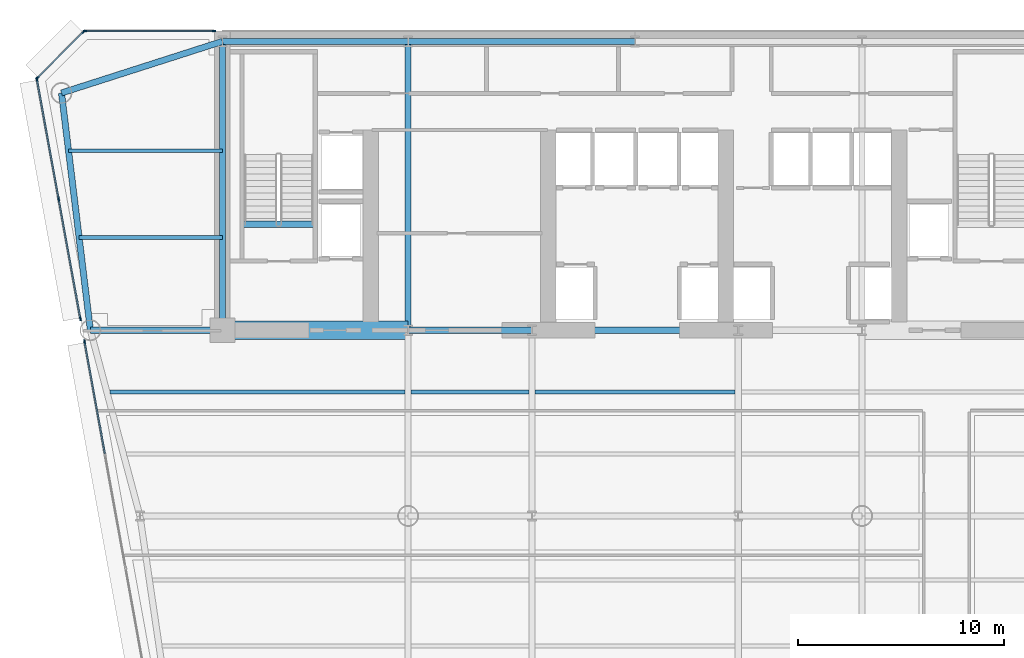
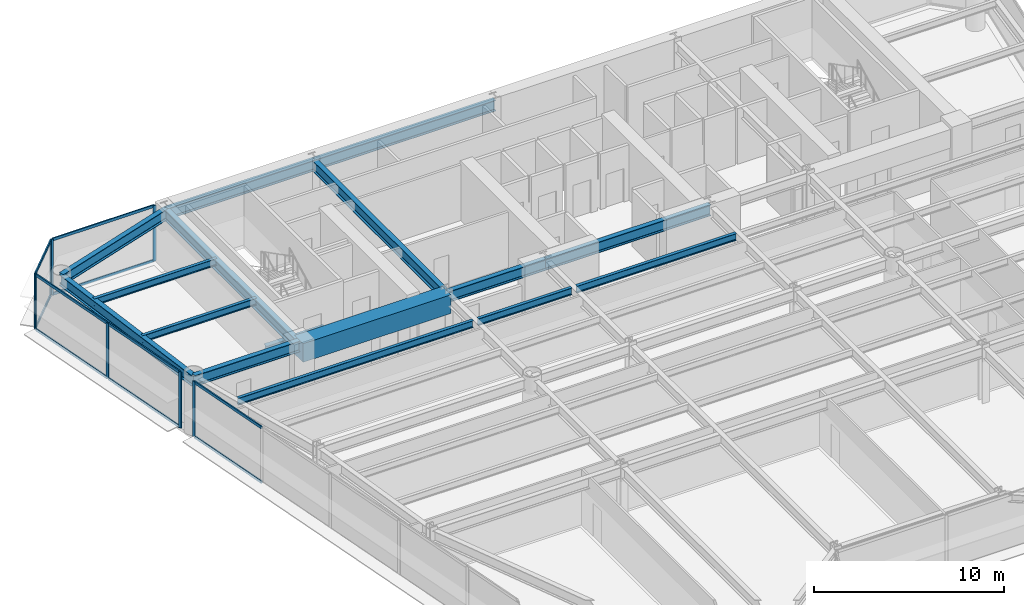
# One storey, part 5 of 14: 18 members, 16 beams, 4 elements without a shape of their own.
"""IFC4 building model written with IfcOpenShell, lengths in metres."""

from ifc_helpers import new_model, si_unit, direction, frame, origin, origin_2d, place, context, subcontext, project, spatial, rectangle, i_section, extrude, source, transform, mapped, material, layer, layer_set, material_profile, profile_set, type_object, element, aggregate, save


model = new_model("IFC4")

# Units and contexts
model_context = context("Model", 3, precision=1e-05, world=origin(), true_north=direction((0.0, 1.0)))
body_context = subcontext(model_context, "Body", "Model", "MODEL_VIEW")
ifc_project = project(units=[si_unit("LENGTHUNIT", "METRE"), si_unit("AREAUNIT", "SQUARE_METRE"), si_unit("VOLUMEUNIT", "CUBIC_METRE"), si_unit("PLANEANGLEUNIT", "RADIAN"), si_unit("MASSUNIT", "GRAM", prefix="KILO")], contexts=[model_context])

# Site, building, storey
site_placement = place(None, origin())
site = spatial("IfcSite", under=ifc_project, at=site_placement, CompositionType="ELEMENT")
building_placement = place(site_placement, origin())
building = spatial("IfcBuilding", under=site, at=building_placement, Name="Vaeldorn Concourse Tower", CompositionType="ELEMENT")
storey_placement = place(building_placement, frame((0.0, 0.0, 133.800048828125)))
storey = spatial("IfcBuildingStorey", under=building, at=storey_placement, Name="L34", CompositionType="ELEMENT", Elevation=133.800048828125)

# Beams
ifc_material_1 = material(Name="Concrete C60/75", Category="concrete")
ifc_material_profile_1 = material_profile(ifc_material_1, rectangle(XDim=0.89990234375, YDim=1.199951171875, at=origin_2d()), Name="RC 900x1200")
ifc_profile_set_1 = profile_set([ifc_material_profile_1], Name="Concrete C60/75")
beam_type_1 = type_object("IfcBeamType", Name="BM-CB-RC900", PredefinedType="BEAM", material=ifc_profile_set_1)
shared_shape_1 = source(origin(), body_context, "Body", "SweptSolid", [
    extrude(rectangle(XDim=0.89990234375, YDim=1.199951171875, at=origin_2d()), origin(), (0.0, 0.0, 1.0), 9.0),
])
beam_1_placement = place(storey_placement, frame((14.0, 36.5, 2.97998046875), z_axis=(1.0, 0.0, 0.0), x_axis=(0.0, 1.0, 0.0)))
element("IfcBeam", 1, at=beam_1_placement, inside=storey, type_object=beam_type_1, Name="Core Coupling Beam L34-1", PredefinedType="BEAM", context=body_context, shape_type="MappedRepresentation", body=[
    mapped(shared_shape_1, transform((0.0, 0.0, 0.0), scale=1.0)),
])
ifc_material_2 = material(Name="Steel S355", Category="steel")
ifc_material_profile_2 = material_profile(ifc_material_2, i_section(OverallWidth=0.300048828125, OverallDepth=0.340087890625, WebThickness=0.011962890625, FlangeThickness=0.021484375, FilletRadius=0.027099609375, at=origin_2d()), Name="HEB 340")
ifc_profile_set_2 = profile_set([ifc_material_profile_2], Name="Steel S355")
beam_type_2 = type_object("IfcBeamType", Name="BM-ST-TRIM", PredefinedType="BEAM", material=ifc_profile_set_2)
shared_shape_2 = source(origin(), body_context, "Body", "SweptSolid", [
    extrude(i_section(OverallWidth=0.300048828125, OverallDepth=0.340087890625, WebThickness=0.011962890625, FlangeThickness=0.021484375, FilletRadius=0.027099609375, at=origin_2d()), origin(), (0.0, 0.0, 1.0), 3.590087890625),
])
beam_2_placement = place(storey_placement, frame((14.929931640625, 41.639892578125, -0.39013671875), z_axis=(1.0, 0.0, 0.0), x_axis=(0.0, 1.0, 0.0)))
element("IfcBeam", 2, at=beam_2_placement, inside=storey, type_object=beam_type_2, Name="Stair Landing Trimmer Beam ST-1 L34", PredefinedType="BEAM", context=body_context, shape_type="MappedRepresentation", body=[
    mapped(shared_shape_2, transform((0.0, 0.0, 0.0), scale=1.0)),
])
ifc_material_profile_3 = material_profile(ifc_material_2, i_section(OverallWidth=0.300048828125, OverallDepth=0.699951171875, WebThickness=0.01708984375, FlangeThickness=0.031982421875, FilletRadius=0.027099609375, at=origin_2d()), Name="HEB 700")
ifc_profile_set_3 = profile_set([ifc_material_profile_3], Name="Steel S355")
beam_type_3 = type_object("IfcBeamType", Name="BM-PG-HEB700", PredefinedType="BEAM", material=ifc_profile_set_3)
shared_shape_3 = source(origin(), body_context, "Body", "SweptSolid", [
    extrude(i_section(OverallWidth=0.300048828125, OverallDepth=0.699951171875, WebThickness=0.01708984375, FlangeThickness=0.031982421875, FilletRadius=0.027099609375, at=origin_2d()), origin(), (0.0, 0.0, 1.0), 6.0),
])
beam_3_placement = place(storey_placement, frame((23.0, 36.5, 3.22998046875), z_axis=(1.0, 0.0, 0.0), x_axis=(0.0, 1.0, 0.0)))
element("IfcBeam", 3, at=beam_3_placement, inside=storey, type_object=beam_type_3, Name="Beam BM-L34-C-FC2-C-FC3", PredefinedType="BEAM", context=body_context, shape_type="MappedRepresentation", body=[
    mapped(shared_shape_3, transform((0.0, 0.0, 0.0), scale=1.0)),
])
shared_shape_4 = source(origin(), body_context, "Body", "SweptSolid", [
    extrude(i_section(OverallWidth=0.300048828125, OverallDepth=0.699951171875, WebThickness=0.01708984375, FlangeThickness=0.031982421875, FilletRadius=0.027099609375, at=origin_2d()), origin(), (0.0, 0.0, 1.0), 10.0),
])
beam_4_placement = place(storey_placement, frame((29.0, 36.5, 3.22998046875), z_axis=(1.0, 0.0, 0.0), x_axis=(0.0, 1.0, 0.0)))
element("IfcBeam", 4, at=beam_4_placement, inside=storey, type_object=beam_type_3, Name="Beam BM-L34-C-FC3-C-FC4", PredefinedType="BEAM", context=body_context, shape_type="MappedRepresentation", body=[
    mapped(shared_shape_4, transform((0.0, 0.0, 0.0), scale=1.0)),
])
shared_shape_5 = source(origin(), body_context, "Body", "SweptSolid", [
    extrude(i_section(OverallWidth=0.300048828125, OverallDepth=0.699951171875, WebThickness=0.01708984375, FlangeThickness=0.031982421875, FilletRadius=0.027099609375, at=origin_2d()), origin(), (0.0, 0.0, 1.0), 9.0),
])
beam_5_placement = place(storey_placement, frame((14.0, 50.5, 3.22998046875), z_axis=(1.0, 0.0, 0.0), x_axis=(0.0, 1.0, 0.0)))
element("IfcBeam", 5, at=beam_5_placement, inside=storey, type_object=beam_type_3, Name="Beam BM-L34-C-HC1-C-HC2", PredefinedType="BEAM", context=body_context, shape_type="MappedRepresentation", body=[
    mapped(shared_shape_5, transform((0.0, 0.0, 0.0), scale=1.0)),
])
shared_shape_6 = source(origin(), body_context, "Body", "SweptSolid", [
    extrude(i_section(OverallWidth=0.300048828125, OverallDepth=0.699951171875, WebThickness=0.01708984375, FlangeThickness=0.031982421875, FilletRadius=0.027099609375, at=origin_2d()), origin(), (0.0, 0.0, 1.0), 11.0),
])
beam_6_placement = place(storey_placement, frame((23.0, 50.5, 3.22998046875), z_axis=(1.0, 0.0, 0.0), x_axis=(0.0, 1.0, 0.0)))
element("IfcBeam", 6, at=beam_6_placement, inside=storey, type_object=beam_type_3, Name="Beam BM-L34-C-HC2-C-HC3", PredefinedType="BEAM", context=body_context, shape_type="MappedRepresentation", body=[
    mapped(shared_shape_6, transform((0.0, 0.0, 0.0), scale=1.0)),
])
shared_shape_7 = source(origin(), body_context, "Body", "SweptSolid", [
    extrude(i_section(OverallWidth=0.300048828125, OverallDepth=0.699951171875, WebThickness=0.01708984375, FlangeThickness=0.031982421875, FilletRadius=0.027099609375, at=origin_2d()), origin(), (0.0, 0.0, 1.0), 14.0),
])
for number, where, z_axis, x_axis, name in (
    (7, (14.0, 36.5, 3.22998046875), (0.0, 1.0, 0.0), (-1.0, 0.0, 0.0), "Beam BM-L34-C-FC1-C-HC1"),
    (8, (23.0, 36.5, 3.22998046875), (0.0, 1.0, 0.0), (-1.0, 0.0, 0.0), "Beam BM-L34-C-FC2-C-HC2"),
):
    element("IfcBeam", number, at=place(storey_placement, frame(where, z_axis=z_axis, x_axis=x_axis)), inside=storey, type_object=beam_type_3, Name=name, PredefinedType="BEAM", context=body_context, shape_type="MappedRepresentation", body=[
        mapped(shared_shape_7, transform((0.0, 0.0, 0.0), scale=1.0)),
    ])
shared_shape_8 = source(origin(), body_context, "Body", "SweptSolid", [
    extrude(i_section(OverallWidth=0.300048828125, OverallDepth=0.699951171875, WebThickness=0.01708984375, FlangeThickness=0.031982421875, FilletRadius=0.027099609375, at=origin_2d()), origin(), (0.0, 0.0, 1.0), 8.19091796875),
])
beam_7_placement = place(storey_placement, frame((6.199951171875, 48.0, 3.22998046875), z_axis=(0.952282843383, 0.305216949396, 0.0), x_axis=(-0.305216949396, 0.952282843383, 0.0)))
element("IfcBeam", 9, at=beam_7_placement, inside=storey, type_object=beam_type_3, Name="Beam BM-L34-C-NW1-C-HC1", PredefinedType="BEAM", context=body_context, shape_type="MappedRepresentation", body=[
    mapped(shared_shape_8, transform((0.0, 0.0, 0.0), scale=1.0)),
])
shared_shape_9 = source(origin(), body_context, "Body", "SweptSolid", [
    extrude(i_section(OverallWidth=0.300048828125, OverallDepth=0.699951171875, WebThickness=0.01708984375, FlangeThickness=0.031982421875, FilletRadius=0.027099609375, at=origin_2d()), origin(), (0.0, 0.0, 1.0), 11.5849609375),
])
beam_8_placement = place(storey_placement, frame((6.199951171875, 48.0, 3.22998046875), z_axis=(0.120859382899, -0.992669637677, 0.0), x_axis=(0.992669637677, 0.120859382899, 0.0)))
element("IfcBeam", 10, at=beam_8_placement, inside=storey, type_object=beam_type_3, Name="Beam BM-L34-C-NW1-C-NW2", PredefinedType="BEAM", context=body_context, shape_type="MappedRepresentation", body=[
    mapped(shared_shape_9, transform((0.0, 0.0, 0.0), scale=1.0)),
])
shared_shape_10 = source(origin(), body_context, "Body", "SweptSolid", [
    extrude(i_section(OverallWidth=0.300048828125, OverallDepth=0.699951171875, WebThickness=0.01708984375, FlangeThickness=0.031982421875, FilletRadius=0.027099609375, at=origin_2d()), origin(), (0.0, 0.0, 1.0), 6.39990234375),
])
beam_9_placement = place(storey_placement, frame((7.60009765625, 36.5, 3.22998046875), z_axis=(1.0, 0.0, 0.0), x_axis=(0.0, 1.0, 0.0)))
element("IfcBeam", 11, at=beam_9_placement, inside=storey, type_object=beam_type_3, Name="Beam BM-L34-C-NW2-C-FC1", PredefinedType="BEAM", context=body_context, shape_type="MappedRepresentation", body=[
    mapped(shared_shape_10, transform((0.0, 0.0, 0.0), scale=1.0)),
])
ifc_material_profile_4 = material_profile(ifc_material_2, i_section(OverallWidth=0.18994140625, OverallDepth=0.449951171875, WebThickness=0.009521484375, FlangeThickness=0.0146484375, FilletRadius=0.02099609375, at=origin_2d()), Name="IPE 450")
ifc_profile_set_4 = profile_set([ifc_material_profile_4], Name="Steel S355")
beam_type_4 = type_object("IfcBeamType", Name="BM-JS-IPE450", PredefinedType="JOIST", material=ifc_profile_set_4)
shared_shape_11 = source(origin(), body_context, "Body", "SweptSolid", [
    extrude(i_section(OverallWidth=0.18994140625, OverallDepth=0.449951171875, WebThickness=0.009521484375, FlangeThickness=0.0146484375, FilletRadius=0.02099609375, at=origin_2d()), origin(), (0.0, 0.0, 1.0), 5.7001953125),
])
beam_10_placement = place(storey_placement, frame((23.14990234375, 33.5, 3.35498046875), z_axis=(1.0, 0.0, 0.0), x_axis=(0.0, 1.0, 0.0)))
element("IfcBeam", 12, at=beam_10_placement, inside=storey, type_object=beam_type_4, Name="Beam JS-L34-W2-335", PredefinedType="JOIST", context=body_context, shape_type="MappedRepresentation", body=[
    mapped(shared_shape_11, transform((0.0, 0.0, 0.0), scale=1.0)),
])
shared_shape_12 = source(origin(), body_context, "Body", "SweptSolid", [
    extrude(i_section(OverallWidth=0.18994140625, OverallDepth=0.449951171875, WebThickness=0.009521484375, FlangeThickness=0.0146484375, FilletRadius=0.02099609375, at=origin_2d()), origin(), (0.0, 0.0, 1.0), 9.7001953125),
])
beam_11_placement = place(storey_placement, frame((29.14990234375, 33.5, 3.35498046875), z_axis=(1.0, 0.0, 0.0), x_axis=(0.0, 1.0, 0.0)))
element("IfcBeam", 13, at=beam_11_placement, inside=storey, type_object=beam_type_4, Name="Beam JS-L34-C-335", PredefinedType="JOIST", context=body_context, shape_type="MappedRepresentation", body=[
    mapped(shared_shape_12, transform((0.0, 0.0, 0.0), scale=1.0)),
])
shared_shape_13 = source(origin(), body_context, "Body", "SweptSolid", [
    extrude(i_section(OverallWidth=0.18994140625, OverallDepth=0.449951171875, WebThickness=0.009521484375, FlangeThickness=0.0146484375, FilletRadius=0.02099609375, at=origin_2d()), origin(), (0.0, 0.0, 1.0), 6.94775390625),
])
beam_12_placement = place(storey_placement, frame((7.05224609375, 41.0, 3.35498046875), z_axis=(1.0, 0.0, 0.0), x_axis=(0.0, 1.0, 0.0)))
element("IfcBeam", 14, at=beam_12_placement, inside=storey, type_object=beam_type_4, Name="Beam JS-L34-NW-410", PredefinedType="JOIST", context=body_context, shape_type="MappedRepresentation", body=[
    mapped(shared_shape_13, transform((0.0, 0.0, 0.0), scale=1.0)),
])
shared_shape_14 = source(origin(), body_context, "Body", "SweptSolid", [
    extrude(i_section(OverallWidth=0.18994140625, OverallDepth=0.449951171875, WebThickness=0.009521484375, FlangeThickness=0.0146484375, FilletRadius=0.02099609375, at=origin_2d()), origin(), (0.0, 0.0, 1.0), 7.458984375),
])
beam_13_placement = place(storey_placement, frame((6.541015625, 45.199951171875, 3.35498046875), z_axis=(1.0, 0.0, 0.0), x_axis=(0.0, 1.0, 0.0)))
element("IfcBeam", 15, at=beam_13_placement, inside=storey, type_object=beam_type_4, Name="Beam JS-L34-NW-452", PredefinedType="JOIST", context=body_context, shape_type="MappedRepresentation", body=[
    mapped(shared_shape_14, transform((0.0, 0.0, 0.0), scale=1.0)),
])
shared_shape_15 = source(origin(), body_context, "Body", "SweptSolid", [
    extrude(i_section(OverallWidth=0.18994140625, OverallDepth=0.449951171875, WebThickness=0.009521484375, FlangeThickness=0.0146484375, FilletRadius=0.02099609375, at=origin_2d()), origin(), (0.0, 0.0, 1.0), 14.300048828125),
])
beam_14_placement = place(storey_placement, frame((8.550048828125, 33.5, 3.35498046875), z_axis=(1.0, 0.0, 0.0), x_axis=(0.0, 1.0, 0.0)))
element("IfcBeam", 16, at=beam_14_placement, inside=storey, type_object=beam_type_4, Name="Beam JS-L34-W1-335", PredefinedType="JOIST", context=body_context, shape_type="MappedRepresentation", body=[
    mapped(shared_shape_15, transform((0.0, 0.0, 0.0), scale=1.0)),
])

# Curtain wall, members
ifc_material_3 = material(Name="Anodised Bronze Aluminium", Category="aluminium")
ifc_layer = layer(ifc_material_3, 0.199951171875)
ifc_layer_set = layer_set([ifc_layer], Name="Anodised Bronze Aluminium")
curtain_wall_type = type_object("IfcCurtainWallType", Name="CW-SYS-02", PredefinedType="NOTDEFINED", material=ifc_layer_set)
curtain_wall_1_placement = place(storey_placement, origin())
curtain_wall_1 = element("IfcCurtainWall", 17, at=curtain_wall_1_placement, inside=storey, type_object=curtain_wall_type, Name="Unitised Curtain Wall CW-L34-E10-1", PredefinedType="NOTDEFINED")
ifc_material_profile_5 = material_profile(ifc_material_3, rectangle(XDim=0.074951171875, YDim=0.179931640625, at=origin_2d()), Name="CWT 75x180")
ifc_profile_set_5 = profile_set([ifc_material_profile_5], Name="Anodised Bronze Aluminium")
member_type_1 = type_object("IfcMemberType", Name="CWT-BRONZE-180", PredefinedType="USERDEFINED", material=ifc_profile_set_5)
shared_shape_16 = source(origin(), body_context, "Body", "SweptSolid", [
    extrude(rectangle(XDim=0.074951171875, YDim=0.179931640625, at=origin_2d()), origin(), (0.0, 0.0, 1.0), 3.10302734375),
])
member_1_placement = place(storey_placement, frame((7.2470703125, 50.947021484375, 0.037353515625), z_axis=(-0.707106781187, -0.707106781187, 0.0), x_axis=(0.707106781187, -0.707106781187, 0.0)))
member_1 = element("IfcMember", 18, at=member_1_placement, type_object=member_type_1, Name="CW-02 transom 1.1", ObjectType="TRANSOM", PredefinedType="USERDEFINED", context=body_context, shape_type="MappedRepresentation", body=[
    mapped(shared_shape_16, transform((0.0, 0.0, 0.0), scale=1.0)),
])
member_2_placement = place(storey_placement, frame((7.2470703125, 50.947021484375, 3.54248046875), z_axis=(-0.707106781187, -0.707106781187, 0.0), x_axis=(0.707106781187, -0.707106781187, 0.0)))
member_2 = element("IfcMember", 19, at=member_2_placement, type_object=member_type_1, Name="CW-02 transom 1.2", ObjectType="TRANSOM", PredefinedType="USERDEFINED", context=body_context, shape_type="MappedRepresentation", body=[
    mapped(shared_shape_16, transform((0.0, 0.0, 0.0), scale=1.0)),
])

curtain_wall_2_placement = place(storey_placement, origin())
curtain_wall_2 = element("IfcCurtainWall", 20, at=curtain_wall_2_placement, inside=storey, type_object=curtain_wall_type, Name="Unitised Curtain Wall CW-L34-E09-2", PredefinedType="NOTDEFINED")
shared_shape_17 = source(origin(), body_context, "Body", "SweptSolid", [
    extrude(rectangle(XDim=0.074951171875, YDim=0.179931640625, at=origin_2d()), origin(), (0.0, 0.0, 1.0), 6.179931640625),
])
member_3_placement = place(storey_placement, frame((13.554931640625, 51.0, 0.037353515625), z_axis=(-1.0, 0.0, 0.0), x_axis=(0.0, -1.0, 0.0)))
member_3 = element("IfcMember", 21, at=member_3_placement, type_object=member_type_1, Name="CW-02 transom 1.1", ObjectType="TRANSOM", PredefinedType="USERDEFINED", context=body_context, shape_type="MappedRepresentation", body=[
    mapped(shared_shape_17, transform((0.0, 0.0, 0.0), scale=1.0)),
])
member_4_placement = place(storey_placement, frame((13.554931640625, 51.0, 3.54248046875), z_axis=(-1.0, 0.0, 0.0), x_axis=(0.0, -1.0, 0.0)))
member_4 = element("IfcMember", 22, at=member_4_placement, type_object=member_type_1, Name="CW-02 transom 1.2", ObjectType="TRANSOM", PredefinedType="USERDEFINED", context=body_context, shape_type="MappedRepresentation", body=[
    mapped(shared_shape_17, transform((0.0, 0.0, 0.0), scale=1.0)),
])
ifc_material_profile_6 = material_profile(ifc_material_3, rectangle(XDim=0.074951171875, YDim=0.18994140625, at=origin_2d()), Name="CWM 75x190")
ifc_profile_set_6 = profile_set([ifc_material_profile_6], Name="Anodised Bronze Aluminium")
member_type_2 = type_object("IfcMemberType", Name="CWM-BRONZE-190", PredefinedType="MULLION", material=ifc_profile_set_6)
shared_shape_18 = source(origin(), body_context, "Body", "SweptSolid", [
    extrude(rectangle(XDim=0.074951171875, YDim=0.18994140625, at=origin_2d()), origin(), (0.0, 0.0, 1.0), 3.579833984375),
])
member_5_placement = place(storey_placement, frame((13.592529296875, 51.0, 0.0), z_axis=(0.0, 0.0, 1.0), x_axis=(0.0, -1.0, 0.0)))
member_5 = element("IfcMember", 23, at=member_5_placement, type_object=member_type_2, Name="CW-02 mullion 1", PredefinedType="MULLION", context=body_context, shape_type="MappedRepresentation", body=[
    mapped(shared_shape_18, transform((0.0, 0.0, 0.0), scale=1.0)),
])
member_6_placement = place(storey_placement, frame((7.33740234375, 51.0, 0.0), z_axis=(0.0, 0.0, 1.0), x_axis=(0.0, -1.0, 0.0)))
member_6 = element("IfcMember", 24, at=member_6_placement, type_object=member_type_2, Name="CW-02 mullion 2", PredefinedType="MULLION", context=body_context, shape_type="MappedRepresentation", body=[
    mapped(shared_shape_18, transform((0.0, 0.0, 0.0), scale=1.0)),
])
aggregate(curtain_wall_2, [member_5, member_6, member_3, member_4])

# Member
member_7_placement = place(storey_placement, frame((7.2734375, 50.973388671875, 0.0), z_axis=(0.0, 0.0, 1.0), x_axis=(0.707106781187, -0.707106781187, 0.0)))
member_7 = element("IfcMember", 25, at=member_7_placement, type_object=member_type_2, Name="CW-02 mullion 1", PredefinedType="MULLION", context=body_context, shape_type="MappedRepresentation", body=[
    mapped(shared_shape_18, transform((0.0, 0.0, 0.0), scale=1.0)),
])

member_8_placement = place(storey_placement, frame((5.026611328125, 48.7265625, 0.0), z_axis=(0.0, 0.0, 1.0), x_axis=(0.707106781187, -0.707106781187, 0.0)))
member_8 = element("IfcMember", 26, at=member_8_placement, type_object=member_type_2, Name="CW-02 mullion 2", PredefinedType="MULLION", context=body_context, shape_type="MappedRepresentation", body=[
    mapped(shared_shape_18, transform((0.0, 0.0, 0.0), scale=1.0)),
])

aggregate(curtain_wall_1, [member_7, member_8, member_1, member_2])

# Curtain wall, members
curtain_wall_3_placement = place(storey_placement, origin())
curtain_wall_3 = element("IfcCurtainWall", 27, at=curtain_wall_3_placement, inside=storey, type_object=curtain_wall_type, Name="Unitised Curtain Wall CW-L34-E11-1", PredefinedType="NOTDEFINED")
member_9_placement = place(storey_placement, frame((5.006591796875, 48.6630859375, 0.0), z_axis=(0.0, 0.0, 1.0), x_axis=(0.983905466886, 0.178689765327, 0.0)))
member_9 = element("IfcMember", 28, at=member_9_placement, type_object=member_type_2, Name="CW-02 mullion 1", PredefinedType="MULLION", context=body_context, shape_type="MappedRepresentation", body=[
    mapped(shared_shape_18, transform((0.0, 0.0, 0.0), scale=1.0)),
])
member_10_placement = place(storey_placement, frame((6.060791015625, 42.85888671875, 0.0), z_axis=(0.0, 0.0, 1.0), x_axis=(0.983905466886, 0.178689765327, 0.0)))
member_10 = element("IfcMember", 29, at=member_10_placement, type_object=member_type_2, Name="CW-02 mullion 2", PredefinedType="MULLION", context=body_context, shape_type="MappedRepresentation", body=[
    mapped(shared_shape_18, transform((0.0, 0.0, 0.0), scale=1.0)),
])
member_11_placement = place(storey_placement, frame((7.114990234375, 37.054931640625, 0.0), z_axis=(0.0, 0.0, 1.0), x_axis=(0.983905466886, 0.178689765327, 0.0)))
member_11 = element("IfcMember", 30, at=member_11_placement, type_object=member_type_2, Name="CW-02 mullion 3", PredefinedType="MULLION", context=body_context, shape_type="MappedRepresentation", body=[
    mapped(shared_shape_18, transform((0.0, 0.0, 0.0), scale=1.0)),
])

# Curtain wall, member
curtain_wall_4_placement = place(storey_placement, origin())
curtain_wall_4 = element("IfcCurtainWall", 31, at=curtain_wall_4_placement, inside=storey, type_object=curtain_wall_type, Name="Unitised Curtain Wall CW-L34-E11-2", PredefinedType="NOTDEFINED")
member_12_placement = place(storey_placement, frame((7.31640625, 35.945068359375, 0.0), z_axis=(0.0, 0.0, 1.0), x_axis=(0.983905086808, 0.178691858108, 0.0)))
member_12 = element("IfcMember", 32, at=member_12_placement, type_object=member_type_2, Name="CW-02 mullion 1", PredefinedType="MULLION", context=body_context, shape_type="MappedRepresentation", body=[
    mapped(shared_shape_18, transform((0.0, 0.0, 0.0), scale=1.0)),
])

# Member
shared_shape_19 = source(origin(), body_context, "Body", "SweptSolid", [
    extrude(rectangle(XDim=0.074951171875, YDim=0.179931640625, at=origin_2d()), origin(), (0.0, 0.0, 1.0), 5.823974609375),
])
member_13_placement = place(storey_placement, frame((5.013427734375, 48.626220703125, 0.037353515625), z_axis=(0.178704676428, -0.983902758723, 0.0), x_axis=(0.983902758723, 0.178704676428, 0.0)))
member_13 = element("IfcMember", 33, at=member_13_placement, type_object=member_type_1, Name="CW-02 transom 1.1", ObjectType="TRANSOM", PredefinedType="USERDEFINED", context=body_context, shape_type="MappedRepresentation", body=[
    mapped(shared_shape_19, transform((0.0, 0.0, 0.0), scale=1.0)),
])

member_14_placement = place(storey_placement, frame((5.013427734375, 48.626220703125, 3.54248046875), z_axis=(0.178704676428, -0.983902758723, 0.0), x_axis=(0.983902758723, 0.178704676428, 0.0)))
member_14 = element("IfcMember", 34, at=member_14_placement, type_object=member_type_1, Name="CW-02 transom 1.2", ObjectType="TRANSOM", PredefinedType="USERDEFINED", context=body_context, shape_type="MappedRepresentation", body=[
    mapped(shared_shape_19, transform((0.0, 0.0, 0.0), scale=1.0)),
])

member_15_placement = place(storey_placement, frame((6.0673828125, 42.822021484375, 0.037353515625), z_axis=(0.178704676428, -0.983902758723, 0.0), x_axis=(0.983902758723, 0.178704676428, 0.0)))
member_15 = element("IfcMember", 35, at=member_15_placement, type_object=member_type_1, Name="CW-02 transom 2.1", ObjectType="TRANSOM", PredefinedType="USERDEFINED", context=body_context, shape_type="MappedRepresentation", body=[
    mapped(shared_shape_19, transform((0.0, 0.0, 0.0), scale=1.0)),
])

member_16_placement = place(storey_placement, frame((6.0673828125, 42.822021484375, 3.54248046875), z_axis=(0.178704676428, -0.983902758723, 0.0), x_axis=(0.983902758723, 0.178704676428, 0.0)))
member_16 = element("IfcMember", 36, at=member_16_placement, type_object=member_type_1, Name="CW-02 transom 2.2", ObjectType="TRANSOM", PredefinedType="USERDEFINED", context=body_context, shape_type="MappedRepresentation", body=[
    mapped(shared_shape_19, transform((0.0, 0.0, 0.0), scale=1.0)),
])

aggregate(curtain_wall_3, [member_9, member_10, member_11, member_13, member_14, member_15, member_16])

shared_shape_20 = source(origin(), body_context, "Body", "SweptSolid", [
    extrude(rectangle(XDim=0.074951171875, YDim=0.179931640625, at=origin_2d()), origin(), (0.0, 0.0, 1.0), 5.4716796875),
])
member_17_placement = place(storey_placement, frame((7.3232421875, 35.908203125, 0.037353515625), z_axis=(0.178700889016, -0.983903446617, 0.0), x_axis=(0.983903446617, 0.178700889016, 0.0)))
member_17 = element("IfcMember", 37, at=member_17_placement, type_object=member_type_1, Name="CW-02 transom 1.1", ObjectType="TRANSOM", PredefinedType="USERDEFINED", context=body_context, shape_type="MappedRepresentation", body=[
    mapped(shared_shape_20, transform((0.0, 0.0, 0.0), scale=1.0)),
])

member_18_placement = place(storey_placement, frame((7.3232421875, 35.908203125, 3.54248046875), z_axis=(0.178700889016, -0.983903446617, 0.0), x_axis=(0.983903446617, 0.178700889016, 0.0)))
member_18 = element("IfcMember", 38, at=member_18_placement, type_object=member_type_1, Name="CW-02 transom 1.2", ObjectType="TRANSOM", PredefinedType="USERDEFINED", context=body_context, shape_type="MappedRepresentation", body=[
    mapped(shared_shape_20, transform((0.0, 0.0, 0.0), scale=1.0)),
])

aggregate(curtain_wall_4, [member_12, member_17, member_18])

save(model, "model.ifc")
